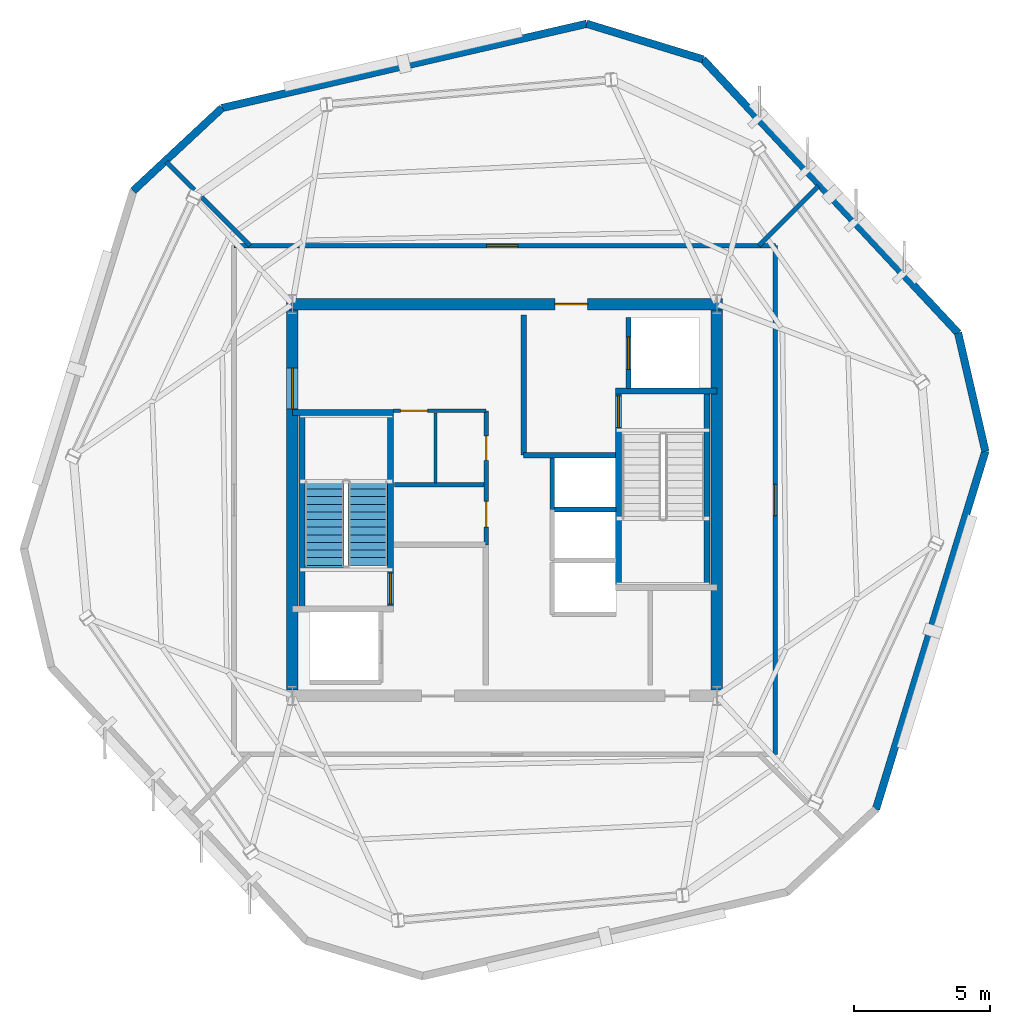
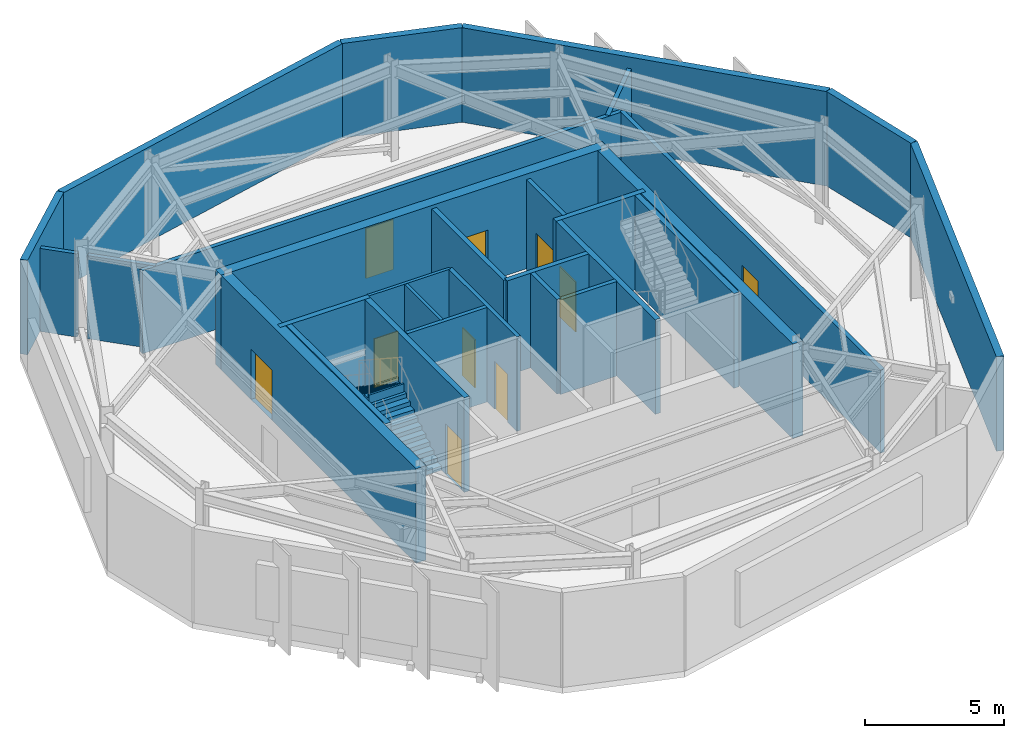
# One storey, part 3 of 7: 29 walls, 10 doors, 2 stair flights, 10 openings, 1 element without a shape of its own.
"""IFC4 building model written with IfcOpenShell, lengths in metres."""

from ifc_helpers import new_model, si_unit, direction, frame, frame_2d, origin, place, context, subcontext, project, spatial, polyline, rectangle, outline, extrude, material, layer, layer_set, type_object, element, fill, aggregate, save


model = new_model("IFC4")

# Units and contexts
model_context = context("Model", 3, precision=1e-05, world=origin(), true_north=direction((0.0, 1.0)))
body_context = subcontext(model_context, "Body", "Model", "MODEL_VIEW")
ifc_project = project(units=[si_unit("LENGTHUNIT", "METRE"), si_unit("AREAUNIT", "SQUARE_METRE"), si_unit("VOLUMEUNIT", "CUBIC_METRE"), si_unit("PLANEANGLEUNIT", "RADIAN"), si_unit("MASSUNIT", "GRAM", prefix="KILO")], contexts=[model_context])

# Site, building, storey
site_placement = place(None, origin())
site = spatial("IfcSite", under=ifc_project, at=site_placement, CompositionType="ELEMENT")
building_placement = place(site_placement, origin())
building = spatial("IfcBuilding", under=site, at=building_placement, Name="Kranzbogen Civic Tower", CompositionType="ELEMENT")
storey_placement = place(building_placement, frame((0.0, 0.0, 318.199951171875)))
storey = spatial("IfcBuildingStorey", under=building, at=storey_placement, Name="L77", CompositionType="ELEMENT", Elevation=318.199951171875)

# Wall, opening, door
ifc_material_1 = material(Name="Insulated Metal-Stud Gypsum Partition")
ifc_layer_1 = layer(ifc_material_1, 0.125, Name="Insulated Metal-Stud Gypsum Partition")
ifc_layer_set_1 = layer_set([ifc_layer_1], Name="Insulated Metal-Stud Gypsum Partition")
wall_type_1 = type_object("IfcWallType", Name="Acoustic Inter-Room Partition 125 mm", PredefinedType="PARTITIONING", material=ifc_layer_set_1)
wall_1_placement = place(storey_placement, frame((20.919921875, 28.280029296875, 0.0), z_axis=(0.0, 0.0, 1.0), x_axis=(1.0, 0.0, 0.0)))
wall_1 = element("IfcWall", 1, at=wall_1_placement, inside=storey, type_object=wall_type_1, Name="L77 core auxiliary North wall", PredefinedType="PARTITIONING", context=body_context, shape_type="SweptSolid", body=[
    extrude(rectangle(XDim=3.405029296875, YDim=0.125, at=frame_2d((1.70263671875, 0.0))), origin(), (0.0, 0.0, 1.0), 4.14013671875),
])
opening_1_placement = place(wall_1_placement, frame((0.2548828125, 0.0, 0.0)))
opening_1 = element("IfcOpeningElement", 2, at=opening_1_placement, cuts=wall_1, Name="Opening D-RSR10", PredefinedType="OPENING", context=body_context, shape_type="SweptSolid", body=[
    extrude(rectangle(XDim=1.0, YDim=2.14990234375, at=frame_2d((0.5, 1.074951171875))), frame((0.0, 0.072509765625, 0.0), z_axis=(0.0, -1.0, 0.0), x_axis=(1.0, 0.0, 0.0)), (0.0, 0.0, 1.0), 0.14501953125),
])
ifc_material_2 = material(Name="Oak Timber and Fire Core", Category="wood")
door_type_1 = type_object("IfcDoorType", Name="Core Archive and Riser Fire Door 1000x2150", OperationType="NOTDEFINED", PredefinedType="DOOR", material=ifc_material_2)
door_1_placement = place(opening_1_placement, origin())
door_1 = element("IfcDoor", 3, at=door_1_placement, inside=storey, type_object=door_type_1, Name="L77 Telecom and Riser Room door", OperationType="SINGLE_SWING_RIGHT", OverallHeight=2.14990234375, OverallWidth=1.0, PredefinedType="DOOR", context=body_context, shape_type="SweptSolid", body=[
    extrude(rectangle(XDim=1.0, YDim=2.14990234375, at=frame_2d((0.5, 1.074951171875))), frame((0.0, 0.02490234375, 0.0), z_axis=(0.0, -1.0, 0.0), x_axis=(1.0, 0.0, 0.0)), (0.0, 0.0, 1.0), 0.050048828125),
])
fill(opening_1, door_1)

# Wall
wall_2_placement = place(storey_placement, frame((22.4599609375, 25.6201171875, 0.0), z_axis=(0.0, 0.0, 1.0), x_axis=(0.0, 1.0, 0.0)))
element("IfcWall", 4, at=wall_2_placement, inside=storey, type_object=wall_type_1, Name="L77 core auxiliary partition 2", PredefinedType="PARTITIONING", context=body_context, shape_type="SweptSolid", body=[
    extrude(rectangle(XDim=2.579833984375, YDim=0.125, at=frame_2d((1.2900390625, 0.0))), origin(), (0.0, 0.0, 1.0), 4.14013671875),
])

# Wall, opening, door
ifc_material_3 = material(Name="Concrete C45/55", Category="concrete")
ifc_layer_2 = layer(ifc_material_3, 0.419921875, Name="Concrete C45/55")
ifc_layer_set_2 = layer_set([ifc_layer_2], Name="Concrete C45/55")
wall_type_2 = type_object("IfcWallType", Name="Central Core Shear Wall 420 mm", PredefinedType="SHEAR", material=ifc_layer_set_2)
wall_3_placement = place(storey_placement, frame((33.010009765625, 32.199951171875, 0.0), z_axis=(0.0, 0.0, 1.0), x_axis=(-1.0, 0.0, 0.0)))
wall_3 = element("IfcWall", 5, at=wall_3_placement, inside=storey, type_object=wall_type_2, Name="L77 central core North shear wall", PredefinedType="SHEAR", context=body_context, shape_type="SweptSolid", body=[
    extrude(rectangle(XDim=16.02001953125, YDim=0.419921875, at=frame_2d((8.010009765625, 0.0))), origin(), (0.0, 0.0, 1.0), 4.14013671875),
])
opening_2_placement = place(wall_3_placement, frame((4.9599609375, 0.0, 0.0)))
opening_2 = element("IfcOpeningElement", 6, at=opening_2_placement, cuts=wall_3, Name="Opening D-EX120", PredefinedType="OPENING", context=body_context, shape_type="SweptSolid", body=[
    extrude(rectangle(XDim=1.199951171875, YDim=2.25, at=frame_2d((0.60009765625, 1.125))), frame((0.0, 0.219970703125, 0.0), z_axis=(0.0, -1.0, 0.0), x_axis=(1.0, 0.0, 0.0)), (0.0, 0.0, 1.0), 0.43994140625),
])
ifc_material_4 = material(Name="Steel S355", Category="steel")
door_type_2 = type_object("IfcDoorType", Name="Exit Passageway Fire Door 1200x2250", OperationType="NOTDEFINED", PredefinedType="DOOR", material=ifc_material_4)
door_2_placement = place(opening_2_placement, origin())
door_2 = element("IfcDoor", 7, at=door_2_placement, inside=storey, type_object=door_type_2, Name="L77 East firefighting lobby corridor door", OperationType="SINGLE_SWING_RIGHT", OverallHeight=2.25, OverallWidth=1.199951171875, PredefinedType="DOOR", context=body_context, shape_type="SweptSolid", body=[
    extrude(rectangle(XDim=1.199951171875, YDim=2.25, at=frame_2d((0.60009765625, 1.125))), frame((0.0, 0.02490234375, 0.0), z_axis=(0.0, -1.0, 0.0), x_axis=(1.0, 0.0, 0.0)), (0.0, 0.0, 1.0), 0.050048828125),
])
fill(opening_2, door_2)

wall_4_placement = place(storey_placement, frame((17.199951171875, 31.989990234375, 0.0), z_axis=(0.0, 0.0, 1.0), x_axis=(0.0, -1.0, 0.0)))
wall_4 = element("IfcWall", 8, at=wall_4_placement, inside=storey, type_object=wall_type_2, Name="L77 central core West shear wall", PredefinedType="SHEAR", context=body_context, shape_type="SweptSolid", body=[
    extrude(rectangle(XDim=13.97998046875, YDim=0.419921875, at=frame_2d((6.989990234375, 0.0))), origin(), (0.0, 0.0, 1.0), 4.14013671875),
])
opening_3_placement = place(wall_4_placement, frame((2.139892578125, 0.0, 0.0)))
opening_3 = element("IfcOpeningElement", 9, at=opening_3_placement, cuts=wall_4, Name="Opening D-DBL15", PredefinedType="OPENING", context=body_context, shape_type="SweptSolid", body=[
    extrude(rectangle(XDim=1.5, YDim=2.199951171875, at=frame_2d((0.75, 1.10009765625))), frame((0.0, 0.219970703125, 0.0), z_axis=(0.0, -1.0, 0.0), x_axis=(1.0, 0.0, 0.0)), (0.0, 0.0, 1.0), 0.43994140625),
])
ifc_material_5 = material(Name="Anodised Bronze and Glass", Category="glass")
door_type_3 = type_object("IfcDoorType", Name="Civic Lobby Double Door 1500x2200", OperationType="DOUBLE_DOOR_SINGLE_SWING", PredefinedType="DOOR", material=ifc_material_5)
door_3_placement = place(opening_3_placement, origin())
door_3 = element("IfcDoor", 10, at=door_3_placement, inside=storey, type_object=door_type_3, Name="L77 Central Lift Lobby West concourse door", OperationType="DOUBLE_DOOR_SINGLE_SWING", OverallHeight=2.199951171875, OverallWidth=1.5, PredefinedType="DOOR", context=body_context, shape_type="SweptSolid", body=[
    extrude(rectangle(XDim=1.5, YDim=2.199951171875, at=frame_2d((0.75, 1.10009765625))), frame((0.0, 0.02490234375, 0.0), z_axis=(0.0, -1.0, 0.0), x_axis=(1.0, 0.0, 0.0)), (0.0, 0.0, 1.0), 0.050048828125),
])
fill(opening_3, door_3)

# Wall
wall_5_placement = place(storey_placement, frame((32.800048828125, 18.010009765625, 0.0), z_axis=(0.0, 0.0, 1.0), x_axis=(0.0, 1.0, 0.0)))
element("IfcWall", 11, at=wall_5_placement, inside=storey, type_object=wall_type_2, Name="L77 central core East shear wall", PredefinedType="SHEAR", context=body_context, shape_type="SweptSolid", body=[
    extrude(rectangle(XDim=13.97998046875, YDim=0.419921875, at=frame_2d((6.989990234375, 0.0))), origin(), (0.0, 0.0, 1.0), 4.14013671875),
])

# Wall, opening, door
ifc_layer_3 = layer(ifc_material_3, 0.219970703125, Name="Concrete C45/55")
ifc_layer_set_3 = layer_set([ifc_layer_3], Name="Concrete C45/55")
wall_type_3 = type_object("IfcWallType", Name="Core Internal Stair Structural Wall 220 mm", PredefinedType="SOLIDWALL", material=ifc_layer_set_3)
wall_6_placement = place(storey_placement, frame((20.81005859375, 20.989990234375, 0.0), z_axis=(0.0, 0.0, 1.0), x_axis=(0.0, 1.0, 0.0)))
wall_6 = element("IfcWall", 12, at=wall_6_placement, inside=storey, type_object=wall_type_3, Name="L77 ST-T1 East structural stair wall", PredefinedType="SOLIDWALL", context=body_context, shape_type="SweptSolid", body=[
    extrude(rectangle(XDim=7.219970703125, YDim=0.219970703125, at=frame_2d((3.60986328125, 0.0))), origin(), (0.0, 0.0, 1.0), 4.14013671875),
])
opening_4_placement = place(wall_6_placement, frame((0.179931640625, 0.0, 0.0)))
opening_4 = element("IfcOpeningElement", 13, at=opening_4_placement, cuts=wall_6, Name="Opening D-ST90", PredefinedType="OPENING", context=body_context, shape_type="SweptSolid", body=[
    extrude(rectangle(XDim=1.14990234375, YDim=2.199951171875, at=frame_2d((0.574951171875, 1.10009765625))), frame((0.0, 0.1201171875, 0.0), z_axis=(0.0, -1.0, 0.0), x_axis=(1.0, 0.0, 0.0)), (0.0, 0.0, 1.0), 0.239990234375),
])
door_type_4 = type_object("IfcDoorType", Name="Pressurized Stair and Lobby Fire Door 1150x2200", OperationType="NOTDEFINED", PredefinedType="DOOR", material=ifc_material_4)
door_4_placement = place(opening_4_placement, origin())
door_4 = element("IfcDoor", 14, at=door_4_placement, inside=storey, type_object=door_type_4, Name="L77 Stair ST-T1 fire door", OperationType="SINGLE_SWING_LEFT", OverallHeight=2.199951171875, OverallWidth=1.14990234375, PredefinedType="DOOR", context=body_context, shape_type="SweptSolid", body=[
    extrude(rectangle(XDim=1.14990234375, YDim=2.199951171875, at=frame_2d((0.574951171875, 1.10009765625))), frame((0.0, 0.02490234375, 0.0), z_axis=(0.0, -1.0, 0.0), x_axis=(1.0, 0.0, 0.0)), (0.0, 0.0, 1.0), 0.050048828125),
])
fill(opening_4, door_4)

# Walls
wall_7_placement = place(storey_placement, frame((17.199951171875, 28.2099609375, 0.0), z_axis=(0.0, 0.0, 1.0), x_axis=(1.0, 0.0, 0.0)))
element("IfcWall", 15, at=wall_7_placement, inside=storey, type_object=wall_type_3, Name="L77 ST-T1 North structural stair wall", PredefinedType="SOLIDWALL", context=body_context, shape_type="SweptSolid", body=[
    extrude(rectangle(XDim=3.719970703125, YDim=0.219970703125, at=frame_2d((1.85986328125, 0.0))), origin(), (0.0, 0.0, 1.0), 4.14013671875),
])
wall_8_placement = place(storey_placement, frame((17.554931640625, 28.2099609375, 0.0), z_axis=(0.0, 0.0, 1.0), x_axis=(0.0, -1.0, 0.0)))
element("IfcWall", 16, at=wall_8_placement, inside=storey, type_object=wall_type_3, Name="L77 ST-T1 West structural stair wall", PredefinedType="SOLIDWALL", context=body_context, shape_type="SweptSolid", body=[
    extrude(rectangle(XDim=7.219970703125, YDim=0.219970703125, at=frame_2d((3.60986328125, 0.0))), origin(), (0.0, 0.0, 1.0), 4.14013671875),
])

# Wall, opening, door
wall_9_placement = place(storey_placement, frame((29.18994140625, 21.7900390625, 0.0), z_axis=(0.0, 0.0, 1.0), x_axis=(0.0, 1.0, 0.0)))
wall_9 = element("IfcWall", 17, at=wall_9_placement, inside=storey, type_object=wall_type_3, Name="L77 ST-T2 West structural stair wall", PredefinedType="SOLIDWALL", context=body_context, shape_type="SweptSolid", body=[
    extrude(rectangle(XDim=7.219970703125, YDim=0.219970703125, at=frame_2d((3.60986328125, 0.0))), origin(), (0.0, 0.0, 1.0), 4.14013671875),
])
opening_5_placement = place(wall_9_placement, frame((5.8798828125, 0.0, 0.0)))
opening_5 = element("IfcOpeningElement", 18, at=opening_5_placement, cuts=wall_9, Name="Opening D-ST90", PredefinedType="OPENING", context=body_context, shape_type="SweptSolid", body=[
    extrude(rectangle(XDim=1.14990234375, YDim=2.199951171875, at=frame_2d((0.574951171875, 1.10009765625))), frame((0.0, 0.1201171875, 0.0), z_axis=(0.0, -1.0, 0.0), x_axis=(1.0, 0.0, 0.0)), (0.0, 0.0, 1.0), 0.239990234375),
])
door_5_placement = place(opening_5_placement, origin())
door_5 = element("IfcDoor", 19, at=door_5_placement, inside=storey, type_object=door_type_4, Name="L77 Stair ST-T2 fire door", OperationType="SINGLE_SWING_RIGHT", OverallHeight=2.199951171875, OverallWidth=1.14990234375, PredefinedType="DOOR", context=body_context, shape_type="SweptSolid", body=[
    extrude(rectangle(XDim=1.14990234375, YDim=2.199951171875, at=frame_2d((0.574951171875, 1.10009765625))), frame((0.0, 0.02490234375, 0.0), z_axis=(0.0, -1.0, 0.0), x_axis=(1.0, 0.0, 0.0)), (0.0, 0.0, 1.0), 0.050048828125),
])
fill(opening_5, door_5)

# Walls
wall_10_placement = place(storey_placement, frame((29.080078125, 29.010009765625, 0.0), z_axis=(0.0, 0.0, 1.0), x_axis=(1.0, 0.0, 0.0)))
element("IfcWall", 20, at=wall_10_placement, inside=storey, type_object=wall_type_3, Name="L77 ST-T2 North structural stair wall", PredefinedType="SOLIDWALL", context=body_context, shape_type="SweptSolid", body=[
    extrude(rectangle(XDim=3.719970703125, YDim=0.219970703125, at=frame_2d((1.85986328125, 0.0))), origin(), (0.0, 0.0, 1.0), 4.14013671875),
])
wall_11_placement = place(storey_placement, frame((32.445068359375, 29.010009765625, 0.0), z_axis=(0.0, 0.0, 1.0), x_axis=(0.0, -1.0, 0.0)))
element("IfcWall", 21, at=wall_11_placement, inside=storey, type_object=wall_type_3, Name="L77 ST-T2 East structural stair wall", PredefinedType="SOLIDWALL", context=body_context, shape_type="SweptSolid", body=[
    extrude(rectangle(XDim=7.219970703125, YDim=0.219970703125, at=frame_2d((3.60986328125, 0.0))), origin(), (0.0, 0.0, 1.0), 4.14013671875),
])
ifc_material_6 = material(Name="Gypsum Fireboard and Concrete Block", Category="concrete")
ifc_layer_4 = layer(ifc_material_6, 0.199951171875, Name="Gypsum Fireboard and Concrete Block")
ifc_layer_set_4 = layer_set([ifc_layer_4], Name="Gypsum Fireboard and Concrete Block")
wall_type_4 = type_object("IfcWallType", Name="Fire-Rated Exit Passageway and Stair Wall 200 mm", PredefinedType="PARTITIONING", material=ifc_layer_set_4)
wall_12_placement = place(storey_placement, frame((25.699951171875, 26.64990234375, 0.0), z_axis=(0.0, 0.0, 1.0), x_axis=(0.0, 1.0, 0.0)))
element("IfcWall", 22, at=wall_12_placement, inside=storey, type_object=wall_type_4, Name="L77 East firefighting lobby West wall", PredefinedType="PARTITIONING", context=body_context, shape_type="SweptSolid", body=[
    extrude(rectangle(XDim=5.150146484375, YDim=0.199951171875, at=frame_2d((2.5751953125, 0.0))), origin(), (0.0, 0.0, 1.0), 4.14013671875),
])
wall_13_placement = place(storey_placement, frame((25.699951171875, 26.64990234375, 0.0), z_axis=(0.0, 0.0, 1.0), x_axis=(1.0, 0.0, 0.0)))
element("IfcWall", 23, at=wall_13_placement, inside=storey, type_object=wall_type_4, Name="L77 East firefighting lobby South wall", PredefinedType="PARTITIONING", context=body_context, shape_type="SweptSolid", body=[
    extrude(rectangle(XDim=3.380126953125, YDim=0.199951171875, at=frame_2d((1.68994140625, 0.0))), origin(), (0.0, 0.0, 1.0), 4.14013671875),
])
ifc_material_7 = material(Name="Gypsum Fireboard Shaftliner")
ifc_layer_5 = layer(ifc_material_7, 0.175048828125, Name="Gypsum Fireboard Shaftliner")
ifc_layer_set_5 = layer_set([ifc_layer_5], Name="Gypsum Fireboard Shaftliner")
wall_type_5 = type_object("IfcWallType", Name="Fire-Rated Lift and Service Shaft Wall 175 mm", PredefinedType="PARTITIONING", material=ifc_layer_set_5)
wall_14_placement = place(storey_placement, frame((26.75, 24.64990234375, 0.0), z_axis=(0.0, 0.0, 1.0), x_axis=(0.0, 1.0, 0.0)))
element("IfcWall", 24, at=wall_14_placement, inside=storey, type_object=wall_type_5, Name="L77 lift HP-03 landing wall", PredefinedType="PARTITIONING", context=body_context, shape_type="SweptSolid", body=[
    extrude(rectangle(XDim=1.900146484375, YDim=0.175048828125, at=frame_2d((0.9501953125, 0.0))), origin(), (0.0, 0.0, 1.0), 4.14013671875),
])
wall_15_placement = place(storey_placement, frame((26.75, 24.64990234375, 0.0), z_axis=(0.0, 0.0, 1.0), x_axis=(1.0, 0.0, 0.0)))
element("IfcWall", 25, at=wall_15_placement, inside=storey, type_object=wall_type_5, Name="L77 lift HP-03 side wall", PredefinedType="PARTITIONING", context=body_context, shape_type="SweptSolid", body=[
    extrude(rectangle(XDim=2.35009765625, YDim=0.175048828125, at=frame_2d((1.175048828125, 0.0))), origin(), (0.0, 0.0, 1.0), 4.14013671875),
])

# Wall, opening, door
wall_16_placement = place(storey_placement, frame((29.550048828125, 29.10009765625, 0.0), z_axis=(0.0, 0.0, 1.0), x_axis=(0.0, 1.0, 0.0)))
wall_16 = element("IfcWall", 26, at=wall_16_placement, inside=storey, type_object=wall_type_5, Name="L77 lift FF-02 landing wall", PredefinedType="PARTITIONING", context=body_context, shape_type="SweptSolid", body=[
    extrude(rectangle(XDim=2.599853515625, YDim=0.175048828125, at=frame_2d((1.2998046875, 0.0))), origin(), (0.0, 0.0, 1.0), 4.14013671875),
])
opening_6_placement = place(wall_16_placement, frame((0.699951171875, 0.0, 0.0)))
opening_6 = element("IfcOpeningElement", 27, at=opening_6_placement, cuts=wall_16, Name="Opening LD-FF-02", PredefinedType="OPENING", context=body_context, shape_type="SweptSolid", body=[
    extrude(rectangle(XDim=1.199951171875, YDim=2.199951171875, at=frame_2d((0.60009765625, 1.10009765625))), frame((0.0, 0.09765625, 0.0), z_axis=(0.0, -1.0, 0.0), x_axis=(1.0, 0.0, 0.0)), (0.0, 0.0, 1.0), 0.195068359375),
])
ifc_material_8 = material(Name="Pale Anodised Aluminium", Category="aluminium")
door_type_5 = type_object("IfcDoorType", Name="Firefighting and Stretcher Lift Sliding Landing Door 1200x2200", OperationType="DOUBLE_DOOR_SLIDING", PredefinedType="DOOR", material=ifc_material_8)
door_6_placement = place(opening_6_placement, origin())
door_6 = element("IfcDoor", 28, at=door_6_placement, inside=storey, type_object=door_type_5, Name="L77 lift FF-02 sliding landing door", OperationType="DOUBLE_DOOR_SLIDING", OverallHeight=2.199951171875, OverallWidth=1.199951171875, PredefinedType="DOOR", context=body_context, shape_type="SweptSolid", body=[
    extrude(rectangle(XDim=1.199951171875, YDim=2.199951171875, at=frame_2d((0.60009765625, 1.10009765625))), frame((0.0, 0.02490234375, 0.0), z_axis=(0.0, -1.0, 0.0), x_axis=(1.0, 0.0, 0.0)), (0.0, 0.0, 1.0), 0.050048828125),
])
fill(opening_6, door_6)

wall_17_placement = place(storey_placement, frame((15.050048828125, 34.35009765625, 0.0), z_axis=(0.0, 0.0, 1.0), x_axis=(1.0, 0.0, 0.0)))
wall_17 = element("IfcWall", 29, at=wall_17_placement, inside=storey, type_object=wall_type_5, Name="L77 corridor partition 01", PredefinedType="PARTITIONING", context=body_context, shape_type="SweptSolid", body=[
    extrude(rectangle(XDim=19.89990234375, YDim=0.175048828125, at=frame_2d((9.949951171875, 0.0))), origin(), (0.0, 0.0, 1.0), 3.64013671875),
])
opening_7_placement = place(wall_17_placement, frame((9.284912109375, 0.0, 0.0)))
opening_7 = element("IfcOpeningElement", 30, at=opening_7_placement, cuts=wall_17, Name="Opening D-ST90", PredefinedType="OPENING", context=body_context, shape_type="SweptSolid", body=[
    extrude(rectangle(XDim=1.14990234375, YDim=2.199951171875, at=frame_2d((0.574951171875, 1.10009765625))), frame((0.0, 0.09765625, 0.0), z_axis=(0.0, -1.0, 0.0), x_axis=(1.0, 0.0, 0.0)), (0.0, 0.0, 1.0), 0.195068359375),
])
door_7_placement = place(opening_7_placement, origin())
door_7 = element("IfcDoor", 31, at=door_7_placement, inside=storey, type_object=door_type_4, Name="L77 High-Zone Booster Pump and Heat Recovery Plant door", OperationType="SINGLE_SWING_LEFT", OverallHeight=2.199951171875, OverallWidth=1.14990234375, PredefinedType="DOOR", context=body_context, shape_type="SweptSolid", body=[
    extrude(rectangle(XDim=1.14990234375, YDim=2.199951171875, at=frame_2d((0.574951171875, 1.10009765625))), frame((0.0, 0.02490234375, 0.0), z_axis=(0.0, -1.0, 0.0), x_axis=(1.0, 0.0, 0.0)), (0.0, 0.0, 1.0), 0.050048828125),
])
fill(opening_7, door_7)

wall_18_placement = place(storey_placement, frame((34.949951171875, 34.35009765625, 0.0), z_axis=(0.0, 0.0, 1.0), x_axis=(0.0, -1.0, 0.0)))
wall_18 = element("IfcWall", 32, at=wall_18_placement, inside=storey, type_object=wall_type_5, Name="L77 corridor partition 02", PredefinedType="PARTITIONING", context=body_context, shape_type="SweptSolid", body=[
    extrude(rectangle(XDim=18.7001953125, YDim=0.175048828125, at=frame_2d((9.35009765625, 0.0))), origin(), (0.0, 0.0, 1.0), 3.64013671875),
])
opening_8_placement = place(wall_18_placement, frame((8.77490234375, 0.0, 0.0)))
opening_8 = element("IfcOpeningElement", 33, at=opening_8_placement, cuts=wall_18, Name="Opening D-ST90", PredefinedType="OPENING", context=body_context, shape_type="SweptSolid", body=[
    extrude(rectangle(XDim=1.14990234375, YDim=2.199951171875, at=frame_2d((0.574951171875, 1.10009765625))), frame((0.0, 0.09765625, 0.0), z_axis=(0.0, -1.0, 0.0), x_axis=(1.0, 0.0, 0.0)), (0.0, 0.0, 1.0), 0.195068359375),
])
door_8_placement = place(opening_8_placement, origin())
door_8 = element("IfcDoor", 34, at=door_8_placement, inside=storey, type_object=door_type_4, Name="L77 Broadcast Transmission Equipment Hall door", OperationType="SINGLE_SWING_RIGHT", OverallHeight=2.199951171875, OverallWidth=1.14990234375, PredefinedType="DOOR", context=body_context, shape_type="SweptSolid", body=[
    extrude(rectangle(XDim=1.14990234375, YDim=2.199951171875, at=frame_2d((0.574951171875, 1.10009765625))), frame((0.0, 0.02490234375, 0.0), z_axis=(0.0, -1.0, 0.0), x_axis=(1.0, 0.0, 0.0)), (0.0, 0.0, 1.0), 0.050048828125),
])
fill(opening_8, door_8)

# Walls
wall_19_placement = place(storey_placement, frame((34.35009765625, 34.35009765625, 0.0), z_axis=(0.0, 0.0, 1.0), x_axis=(0.707106781187, 0.707106781187, 0.0)))
element("IfcWall", 35, at=wall_19_placement, inside=storey, type_object=wall_type_5, Name="L77 radial room partition 01", PredefinedType="PARTITIONING", context=body_context, shape_type="SweptSolid", body=[
    extrude(rectangle(XDim=3.095703125, YDim=0.175048828125, at=frame_2d((1.5478515625, 0.0))), origin(), (0.0, 0.0, 1.0), 3.64013671875),
])
wall_20_placement = place(storey_placement, frame((15.64990234375, 34.35009765625, 0.0), z_axis=(0.0, 0.0, 1.0), x_axis=(-0.707106781187, 0.707106781187, 0.0)))
element("IfcWall", 36, at=wall_20_placement, inside=storey, type_object=wall_type_5, Name="L77 radial room partition 02 part 1", PredefinedType="PARTITIONING", context=body_context, shape_type="SweptSolid", body=[
    extrude(rectangle(XDim=2.524169921875, YDim=0.175048828125, at=frame_2d((1.26220703125, 0.0))), origin(), (0.0, 0.0, 1.0), 3.64013671875),
])
wall_21_placement = place(storey_placement, frame((13.60009765625, 36.39990234375, 0.0), z_axis=(0.0, 0.0, 1.0), x_axis=(-0.707106781187, 0.707106781187, 0.0)))
element("IfcWall", 37, at=wall_21_placement, inside=storey, type_object=wall_type_5, Name="L77 radial room partition 02 part 2", PredefinedType="PARTITIONING", context=body_context, shape_type="SweptSolid", body=[
    extrude(rectangle(XDim=1.45263671875, YDim=0.175048828125, at=frame_2d((0.726318359375, 0.0))), origin(), (0.0, 0.0, 1.0), 3.64013671875),
])
ifc_layer_6 = layer(ifc_material_8, 0.280029296875, Name="Pale Anodised Aluminium")
ifc_layer_set_6 = layer_set([ifc_layer_6], Name="Pale Anodised Aluminium")
wall_type_6 = type_object("IfcWallType", Name="Plant Acoustic Insulated Spandrel Wall 280 mm", PredefinedType="STANDARD", material=ifc_layer_set_6)
wall_22_placement = place(storey_placement, frame((28.01806640625, 42.507080078125, 0.0), z_axis=(0.0, 0.0, 1.0), x_axis=(-0.974367263291, -0.224963188605, 0.0)))
element("IfcWall", 38, at=wall_22_placement, inside=storey, type_object=wall_type_6, Name="L77 mechanical plant spandrel wall M1", PredefinedType="STANDARD", context=body_context, shape_type="SweptSolid", body=[
    extrude(rectangle(XDim=13.757568359375, YDim=0.280029296875, at=frame_2d((6.87890625, 0.0))), origin(), (0.0, 0.0, 1.0), 4.14013671875),
])
wall_23_placement = place(storey_placement, frame((14.613037109375, 39.412109375, 0.0), z_axis=(0.0, 0.0, 1.0), x_axis=(-0.731311609652, -0.682043495378, 0.0)))
element("IfcWall", 39, at=wall_23_placement, inside=storey, type_object=wall_type_6, Name="L77 mechanical plant spandrel wall C1", PredefinedType="STANDARD", context=body_context, shape_type="SweptSolid", body=[
    extrude(rectangle(XDim=4.46484375, YDim=0.280029296875, at=frame_2d((2.232421875, 0.0))), origin(), (0.0, 0.0, 1.0), 4.14013671875),
])
wall_24_placement = place(storey_placement, frame((38.652099609375, 13.633056640625, 0.0), z_axis=(0.0, 0.0, 1.0), x_axis=(0.292402016217, 0.956295488284, 0.0)))
element("IfcWall", 40, at=wall_24_placement, inside=storey, type_object=wall_type_6, Name="L77 mechanical plant spandrel wall M5", PredefinedType="STANDARD", context=body_context, shape_type="SweptSolid", body=[
    extrude(rectangle(XDim=13.75830078125, YDim=0.280029296875, at=frame_2d((6.879150390625, 0.0))), origin(), (0.0, 0.0, 1.0), 4.14013671875),
])
wall_25_placement = place(storey_placement, frame((42.675048828125, 26.7900390625, 0.0), z_axis=(0.0, 0.0, 1.0), x_axis=(-0.22493139919, 0.974374602326, 0.0)))
element("IfcWall", 41, at=wall_25_placement, inside=storey, type_object=wall_type_6, Name="L77 mechanical plant spandrel wall C5", PredefinedType="STANDARD", context=body_context, shape_type="SweptSolid", body=[
    extrude(rectangle(XDim=4.46435546875, YDim=0.280029296875, at=frame_2d((2.232177734375, 0.0))), origin(), (0.0, 0.0, 1.0), 4.14013671875),
])
wall_26_placement = place(storey_placement, frame((41.6708984375, 31.139892578125, 0.0), z_axis=(0.0, 0.0, 1.0), x_axis=(-0.682027341853, 0.731326674588, 0.0)))
element("IfcWall", 42, at=wall_26_placement, inside=storey, type_object=wall_type_6, Name="L77 mechanical plant spandrel wall M6", PredefinedType="STANDARD", context=body_context, shape_type="SweptSolid", body=[
    extrude(rectangle(XDim=13.75732421875, YDim=0.280029296875, at=frame_2d((6.878662109375, 0.0))), origin(), (0.0, 0.0, 1.0), 4.14013671875),
])
wall_27_placement = place(storey_placement, frame((32.2880859375, 41.200927734375, 0.0), z_axis=(0.0, 0.0, 1.0), x_axis=(-0.956262395438, 0.292510223876, 0.0)))
element("IfcWall", 43, at=wall_27_placement, inside=storey, type_object=wall_type_6, Name="L77 mechanical plant spandrel wall C6", PredefinedType="STANDARD", context=body_context, shape_type="SweptSolid", body=[
    extrude(rectangle(XDim=4.46533203125, YDim=0.280029296875, at=frame_2d((2.232666015625, 0.0))), origin(), (0.0, 0.0, 1.0), 4.14013671875),
])

# Wall, openings, doors
ifc_material_9 = material(Name="Moisture-Resistant Gypsum Assembly")
ifc_layer_7 = layer(ifc_material_9, 0.159912109375, Name="Moisture-Resistant Gypsum Assembly")
ifc_layer_set_7 = layer_set([ifc_layer_7], Name="Moisture-Resistant Gypsum Assembly")
wall_type_7 = type_object("IfcWallType", Name="Sanitary and Plumbing Wet Wall 160 mm", PredefinedType="PLUMBINGWALL", material=ifc_layer_set_7)
wall_28_placement = place(storey_placement, frame((24.324951171875, 23.35009765625, 0.0), z_axis=(0.0, 0.0, 1.0), x_axis=(0.0, 1.0, 0.0)))
wall_28 = element("IfcWall", 44, at=wall_28_placement, inside=storey, type_object=wall_type_7, Name="L77 core auxiliary East wall", PredefinedType="PLUMBINGWALL", context=body_context, shape_type="SweptSolid", body=[
    extrude(rectangle(XDim=4.929931640625, YDim=0.159912109375, at=frame_2d((2.46484375, 0.0))), origin(), (0.0, 0.0, 1.0), 4.14013671875),
])
opening_9_placement = place(wall_28_placement, frame((0.64990234375, 0.0, 0.0)))
opening_9 = element("IfcOpeningElement", 45, at=opening_9_placement, cuts=wall_28, Name="Opening D-AWC95", PredefinedType="OPENING", context=body_context, shape_type="SweptSolid", body=[
    extrude(rectangle(XDim=0.949951171875, YDim=2.10009765625, at=frame_2d((0.47509765625, 1.050048828125))), frame((0.0, 0.08984375, 0.0), z_axis=(0.0, -1.0, 0.0), x_axis=(1.0, 0.0, 0.0)), (0.0, 0.0, 1.0), 0.179931640625),
])
opening_10_placement = place(wall_28_placement, frame((3.110107421875, 0.0, 0.0)))
opening_10 = element("IfcOpeningElement", 46, at=opening_10_placement, cuts=wall_28, Name="Opening D-WC90", PredefinedType="OPENING", context=body_context, shape_type="SweptSolid", body=[
    extrude(rectangle(XDim=0.89990234375, YDim=2.10009765625, at=frame_2d((0.449951171875, 1.050048828125))), frame((0.0, 0.08984375, 0.0), z_axis=(0.0, -1.0, 0.0), x_axis=(1.0, 0.0, 0.0)), (0.0, 0.0, 1.0), 0.179931640625),
])
ifc_material_10 = material(Name="Moisture-Resistant Laminate")
door_type_6 = type_object("IfcDoorType", Name="Accessible Restroom Door 950x2100", OperationType="NOTDEFINED", PredefinedType="DOOR", material=ifc_material_10)
door_9_placement = place(opening_9_placement, origin())
door_9 = element("IfcDoor", 47, at=door_9_placement, inside=storey, type_object=door_type_6, Name="L77 Accessible Restroom door", OperationType="SINGLE_SWING_LEFT", OverallHeight=2.10009765625, OverallWidth=0.949951171875, PredefinedType="DOOR", context=body_context, shape_type="SweptSolid", body=[
    extrude(rectangle(XDim=0.949951171875, YDim=2.10009765625, at=frame_2d((0.47509765625, 1.050048828125))), frame((0.0, 0.02490234375, 0.0), z_axis=(0.0, -1.0, 0.0), x_axis=(1.0, 0.0, 0.0)), (0.0, 0.0, 1.0), 0.050048828125),
])
fill(opening_9, door_9)
door_type_7 = type_object("IfcDoorType", Name="Standard Restroom and Store Door 900x2100", OperationType="NOTDEFINED", PredefinedType="DOOR", material=ifc_material_10)
door_10_placement = place(opening_10_placement, origin())
door_10 = element("IfcDoor", 48, at=door_10_placement, inside=storey, type_object=door_type_7, Name="L77 Staff Restroom door", OperationType="SINGLE_SWING_LEFT", OverallHeight=2.10009765625, OverallWidth=0.89990234375, PredefinedType="DOOR", context=body_context, shape_type="SweptSolid", body=[
    extrude(rectangle(XDim=0.89990234375, YDim=2.10009765625, at=frame_2d((0.449951171875, 1.050048828125))), frame((0.0, 0.02490234375, 0.0), z_axis=(0.0, -1.0, 0.0), x_axis=(1.0, 0.0, 0.0)), (0.0, 0.0, 1.0), 0.050048828125),
])
fill(opening_10, door_10)

# Wall
wall_29_placement = place(storey_placement, frame((20.949951171875, 25.56005859375, 0.0), z_axis=(0.0, 0.0, 1.0), x_axis=(1.0, 0.0, 0.0)))
element("IfcWall", 49, at=wall_29_placement, inside=storey, type_object=wall_type_7, Name="L77 core auxiliary partition 1", PredefinedType="PLUMBINGWALL", context=body_context, shape_type="SweptSolid", body=[
    extrude(rectangle(XDim=3.300048828125, YDim=0.159912109375, at=frame_2d((1.64990234375, 0.0))), origin(), (0.0, 0.0, 1.0), 4.14013671875),
])

# Stair, stair flights
ifc_material_11 = material(Name="Precast concrete C40/50", Category="concrete")
stair_type = type_object("IfcStairType", Name="Tower Core Pressurized Dogleg Stair 1450", PredefinedType="HALF_TURN_STAIR", material=ifc_material_11)
stair_placement = place(storey_placement, origin())
stair = element("IfcStair", 50, at=stair_placement, inside=storey, type_object=stair_type, Name="L77 Tower Core Pressurized Stair 1", PredefinedType="HALF_TURN_STAIR")
stair_flight_type = type_object("IfcStairFlightType", Name="Precast Concrete Stair Flight R180", PredefinedType="STRAIGHT", material=ifc_material_11)
stair_flight_1_placement = place(storey_placement, frame((19.97509765625, 22.60009765625, 0.0), z_axis=(0.0, 0.0, 1.0), x_axis=(0.0, 1.0, 0.0)))
stair_flight_1 = element("IfcStairFlight", 51, at=stair_flight_1_placement, type_object=stair_flight_type, Name="ST-T1 flight 1", NumberOfRisers=12, NumberOfTreads=11, PredefinedType="STRAIGHT", RiserHeight=0.183333333, TreadLength=0.28, context=body_context, shape_type="SweptSolid", body=[
    extrude(outline(polyline([(0.0, 0.0), (0.0, 0.183349609375), (0.280029296875, 0.183349609375), (0.280029296875, 0.36669921875), (0.56005859375, 0.36669921875), (0.56005859375, 0.550048828125), (0.840087890625, 0.550048828125), (0.840087890625, 0.7333984375), (1.1201171875, 0.7333984375), (1.1201171875, 0.916748046875), (1.39990234375, 0.916748046875), (1.39990234375, 1.10009765625), (1.679931640625, 1.10009765625), (1.679931640625, 1.283447265625), (1.9599609375, 1.283447265625), (1.9599609375, 1.466552734375), (2.239990234375, 1.466552734375), (2.239990234375, 1.64990234375), (2.52001953125, 1.64990234375), (2.52001953125, 1.833251953125), (2.800048828125, 1.833251953125), (2.800048828125, 2.0166015625), (3.080078125, 2.0166015625), (3.080078125, 2.199951171875), (3.16015625, 2.199951171875), (3.16015625, 1.83740234375), (0.273681640625, 0.0), (0.0, 0.0)])), frame((0.0, 0.72509765625, 0.0), z_axis=(0.0, -1.0, 0.0), x_axis=(1.0, 0.0, 0.0)), (0.0, 0.0, 1.0), 1.449951171875),
])
stair_flight_2_placement = place(storey_placement, frame((18.375, 25.679931640625, 2.199951171875), z_axis=(0.0, 0.0, 1.0), x_axis=(0.0, -1.0, 0.0)))
stair_flight_2 = element("IfcStairFlight", 52, at=stair_flight_2_placement, type_object=stair_flight_type, Name="ST-T1 flight 2", NumberOfRisers=12, NumberOfTreads=11, PredefinedType="STRAIGHT", RiserHeight=0.183333333, TreadLength=0.28, context=body_context, shape_type="SweptSolid", body=[
    extrude(outline(polyline([(0.0, 0.0), (0.0, 0.183349609375), (0.280029296875, 0.183349609375), (0.280029296875, 0.36669921875), (0.56005859375, 0.36669921875), (0.56005859375, 0.550048828125), (0.840087890625, 0.550048828125), (0.840087890625, 0.7333984375), (1.1201171875, 0.7333984375), (1.1201171875, 0.916748046875), (1.39990234375, 0.916748046875), (1.39990234375, 1.10009765625), (1.679931640625, 1.10009765625), (1.679931640625, 1.283447265625), (1.9599609375, 1.283447265625), (1.9599609375, 1.466552734375), (2.239990234375, 1.466552734375), (2.239990234375, 1.64990234375), (2.52001953125, 1.64990234375), (2.52001953125, 1.833251953125), (2.800048828125, 1.833251953125), (2.800048828125, 2.0166015625), (3.080078125, 2.0166015625), (3.080078125, 2.199951171875), (3.16015625, 2.199951171875), (3.16015625, 1.83740234375), (0.273681640625, 0.0), (0.0, 0.0)])), frame((0.0, 0.72509765625, 0.0), z_axis=(0.0, -1.0, 0.0), x_axis=(1.0, 0.0, 0.0)), (0.0, 0.0, 1.0), 1.449951171875),
])
aggregate(stair, [stair_flight_1, stair_flight_2])

save(model, "model.ifc")
